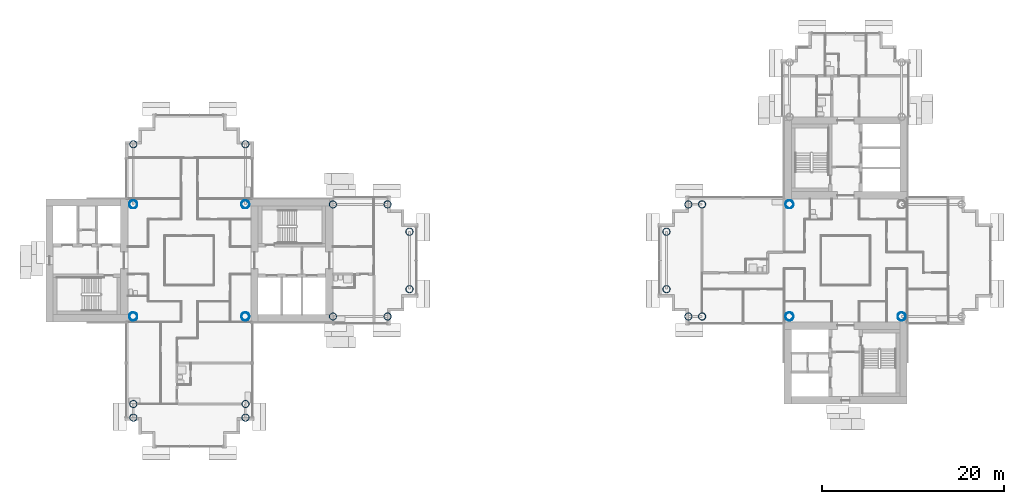
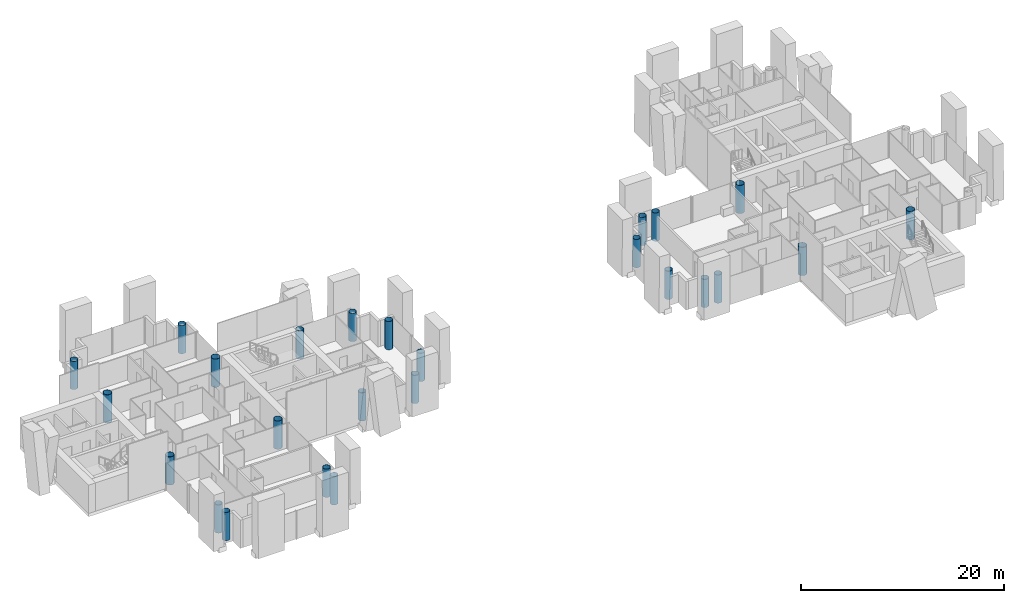
# One storey, part 1 of 18: 25 columns.
"""IFC4 building model written with IfcOpenShell, lengths in metres."""

from ifc_helpers import new_model, si_unit, direction, frame, origin, origin_2d, place, context, subcontext, project, spatial, hollow_circle, extrude, material, material_profile, profile_set, type_object, element, save


model = new_model("IFC4")

# Units and contexts
model_context = context("Model", 3, precision=1e-05, world=origin(), true_north=direction((0.0, 1.0)))
body_context = subcontext(model_context, "Body", "Model", "MODEL_VIEW")
ifc_project = project(units=[si_unit("LENGTHUNIT", "METRE"), si_unit("AREAUNIT", "SQUARE_METRE"), si_unit("VOLUMEUNIT", "CUBIC_METRE"), si_unit("PLANEANGLEUNIT", "RADIAN"), si_unit("MASSUNIT", "GRAM", prefix="KILO")], contexts=[model_context])

# Site, building, storey
site_placement = place(None, origin())
site = spatial("IfcSite", under=ifc_project, at=site_placement, CompositionType="ELEMENT")
building_placement = place(site_placement, origin())
building = spatial("IfcBuilding", under=site, at=building_placement, Name="Ipe Terrace Towers", CompositionType="ELEMENT")
storey_placement = place(building_placement, frame((0.0, 0.0, 150.699951171875)))
storey = spatial("IfcBuildingStorey", under=building, at=storey_placement, Name="L41", CompositionType="ELEMENT", Elevation=150.699951171875)

# Columns
ifc_material_1 = material(Name="Steel S355 tube with Concrete C60/75 fill", Category="concrete")
ifc_material_profile_1 = material_profile(ifc_material_1, hollow_circle(Radius=0.39990234375, WallThickness=0.028076171875, at=origin_2d()), Name="CHS-800x28")
ifc_profile_set_1 = profile_set([ifc_material_profile_1], Name="Steel S355 tube with Concrete C60/75 fill")
column_type_1 = type_object("IfcColumnType", Name="CH09 COLUMN CHS-800x28", PredefinedType="COLUMN", material=ifc_profile_set_1)
for number, where, z_axis, x_axis, name in (
    (1, (-20.25, -6.14990234375, 0.0), (0.0, 0.0, 1.0), (1.0, 0.0, 0.0), "Column T1-C-A01"),
    (2, (-20.25, 6.14990234375, 0.0), (0.0, 0.0, 1.0), (1.0, 0.0, 0.0), "Column T1-C-A02"),
    (3, (-14.25, -6.14990234375, 0.0), (0.0, 0.0, 1.0), (1.0, 0.0, 0.0), "Column T1-C-A03"),
    (4, (-14.25, 6.14990234375, 0.0), (0.0, 0.0, 1.0), (1.0, 0.0, 0.0), "Column T1-C-A04"),
    (5, (-11.85009765625, -3.14990234375, 0.0), (0.0, 0.0, 1.0), (1.0, 0.0, 0.0), "Column T1-C-A05"),
    (6, (-11.85009765625, 3.14990234375, 0.0), (0.0, 0.0, 1.0), (1.0, 0.0, 0.0), "Column T1-C-A06"),
    (7, (-29.85009765625, 12.75, 0.0), (0.0, 0.0, 1.0), (1.0, 0.0, 0.0), "Column T1-C-B01"),
    (8, (-42.14990234375, 12.75, 0.0), (0.0, 0.0, 1.0), (1.0, 0.0, 0.0), "Column T1-C-B02"),
    (9, (-42.14990234375, -15.75, 0.0), (0.0, 0.0, 1.0), (1.0, 0.0, 0.0), "Column T1-C-D03"),
    (10, (-29.85009765625, -15.75, 0.0), (0.0, 0.0, 1.0), (1.0, 0.0, 0.0), "Column T1-C-D04"),
    (11, (-42.14990234375, -17.25, 0.0), (0.0, 0.0, 1.0), (1.0, 0.0, 0.0), "Column T1-C-D05"),
    (12, (-29.85009765625, -17.25, 0.0), (0.0, 0.0, 1.0), (1.0, 0.0, 0.0), "Column T1-C-D06"),
    (13, (20.25, 6.14990234375, 0.0), (0.0, 0.0, 1.0), (1.0, 0.0, 0.0), "Column T2-C-B03"),
    (14, (20.25, -6.14990234375, 0.0), (0.0, 0.0, 1.0), (1.0, 0.0, 0.0), "Column T2-C-B04"),
    (15, (18.75, 6.14990234375, 0.0), (0.0, 0.0, 1.0), (1.0, 0.0, 0.0), "Column T2-C-B05"),
    (16, (18.75, -6.14990234375, 0.0), (0.0, 0.0, 1.0), (1.0, 0.0, 0.0), "Column T2-C-B06"),
    (17, (16.35009765625, 3.14990234375, 0.0), (0.0, 0.0, 1.0), (1.0, 0.0, 0.0), "Column T2-C-B07"),
    (18, (16.35009765625, -3.14990234375, 0.0), (0.0, 0.0, 1.0), (1.0, 0.0, 0.0), "Column T2-C-B08"),
):
    element("IfcColumn", number, at=place(storey_placement, frame(where, z_axis=z_axis, x_axis=x_axis)), inside=storey, type_object=column_type_1, Name=name, PredefinedType="COLUMN", context=body_context, shape_type="SweptSolid", body=[
        extrude(hollow_circle(Radius=0.39990234375, WallThickness=0.028076171875, at=origin_2d()), origin(), (0.0, 0.0, 1.0), 3.400146484375),
    ])
ifc_material_2 = material(Name="Steel S355 tube with Concrete C60/75 fill", Category="concrete")
ifc_material_profile_2 = material_profile(ifc_material_2, hollow_circle(Radius=0.449951171875, WallThickness=0.031982421875, at=origin_2d()), Name="CHS-900x32")
ifc_profile_set_2 = profile_set([ifc_material_profile_2], Name="Steel S355 tube with Concrete C60/75 fill")
column_type_2 = type_object("IfcColumnType", Name="CH10 COLUMN CHS-900x32", PredefinedType="COLUMN", material=ifc_profile_set_2)
for number, where, z_axis, x_axis, name in (
    (19, (-42.14990234375, -6.14990234375, 0.0), (0.0, 0.0, 1.0), (1.0, 0.0, 0.0), "Column T1-C-E01"),
    (20, (-29.85009765625, -6.14990234375, 0.0), (0.0, 0.0, 1.0), (1.0, 0.0, 0.0), "Column T1-C-E02"),
    (21, (-29.85009765625, 6.14990234375, 0.0), (0.0, 0.0, 1.0), (1.0, 0.0, 0.0), "Column T1-C-E03"),
    (22, (-42.14990234375, 6.14990234375, 0.0), (0.0, 0.0, 1.0), (1.0, 0.0, 0.0), "Column T1-C-E04"),
    (23, (42.14990234375, -6.14990234375, 0.0), (0.0, 0.0, 1.0), (1.0, 0.0, 0.0), "Column T2-C-E01"),
    (24, (29.85009765625, 6.14990234375, 0.0), (0.0, 0.0, 1.0), (1.0, 0.0, 0.0), "Column T2-C-E03"),
    (25, (29.85009765625, -6.14990234375, 0.0), (0.0, 0.0, 1.0), (1.0, 0.0, 0.0), "Column T2-C-E04"),
):
    element("IfcColumn", number, at=place(storey_placement, frame(where, z_axis=z_axis, x_axis=x_axis)), inside=storey, type_object=column_type_2, Name=name, PredefinedType="COLUMN", context=body_context, shape_type="SweptSolid", body=[
        extrude(hollow_circle(Radius=0.449951171875, WallThickness=0.031982421875, at=origin_2d()), origin(), (0.0, 0.0, 1.0), 3.400146484375),
    ])

save(model, "model.ifc")
